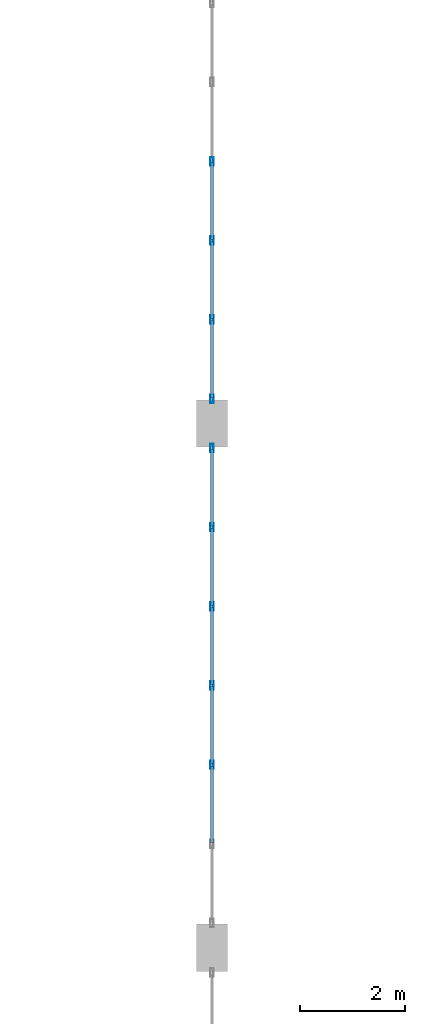
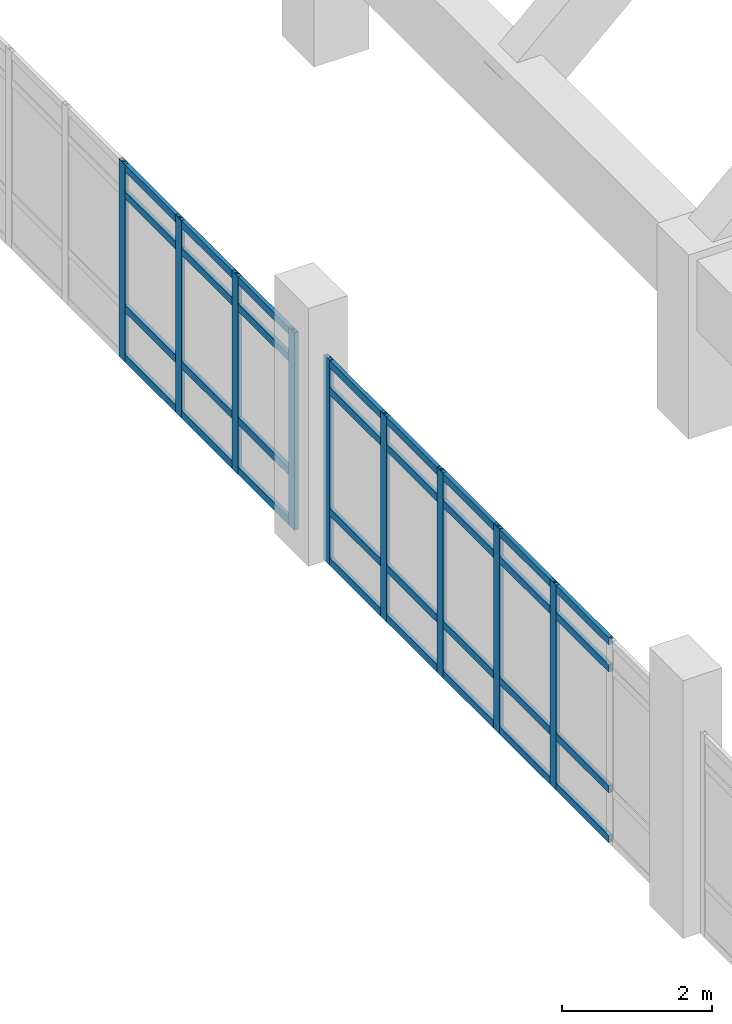
# One storey, part 19 of 111: 41 members, 2 elements without a shape of their own.
"""IFC4 building model written with IfcOpenShell, lengths in metres."""

from ifc_helpers import new_model, si_unit, direction, frame, origin, origin_2d, place, context, subcontext, project, spatial, hollow_rectangle, extrude, material, layer, layer_set, material_profile, profile_set, type_object, element, aggregate, save


model = new_model("IFC4")

# Units and contexts
model_context = context("Model", 3, precision=1e-05, world=origin(), true_north=direction((0.0, 1.0)))
body_context = subcontext(model_context, "Body", "Model", "MODEL_VIEW")
ifc_project = project(units=[si_unit("LENGTHUNIT", "METRE"), si_unit("AREAUNIT", "SQUARE_METRE"), si_unit("VOLUMEUNIT", "CUBIC_METRE"), si_unit("PLANEANGLEUNIT", "RADIAN"), si_unit("MASSUNIT", "GRAM", prefix="KILO")], contexts=[model_context])

# Site, building, storey
site_placement = place(None, origin())
site = spatial("IfcSite", under=ifc_project, at=site_placement, CompositionType="ELEMENT")
building_placement = place(site_placement, origin())
building = spatial("IfcBuilding", under=site, at=building_placement, Name="Mersad Railyard Sports Hall", CompositionType="ELEMENT")
storey_placement = place(building_placement, frame((0.0, 0.0, 9.0)))
storey = spatial("IfcBuildingStorey", under=building, at=storey_placement, Name="L02", CompositionType="ELEMENT", Elevation=9.0)

# Curtain wall, members
ifc_material = material(Name="Aluminium 6063-T6", Category="aluminium")
ifc_layer_1 = layer(ifc_material, 0.159912109375)
ifc_layer_set_1 = layer_set([ifc_layer_1], Name="Aluminium 6063-T6")
curtain_wall_type_1 = type_object("IfcCurtainWallType", Name="ARC-CW-CW18", PredefinedType="USERDEFINED", material=ifc_layer_set_1)
curtain_wall_1_placement = place(storey_placement, origin())
curtain_wall_1 = element("IfcCurtainWall", 1, at=curtain_wall_1_placement, inside=storey, type_object=curtain_wall_type_1, Name="Curtain wall CW18-0071", ObjectType="CURTAIN WALL", PredefinedType="USERDEFINED")
ifc_material_profile_1 = material_profile(ifc_material, hollow_rectangle(XDim=0.06005859375, YDim=0.159912109375, WallThickness=0.00390625, at=origin_2d()), Name="AL MULLION 60x160x4")
ifc_profile_set_1 = profile_set([ifc_material_profile_1], Name="Aluminium 6063-T6")
member_type_1 = type_object("IfcMemberType", Name="ARC-CW-MUL01", PredefinedType="MULLION", material=ifc_profile_set_1)
member_1_placement = place(storey_placement, frame((131.0, 36.989990234375, -0.02001953125), z_axis=(0.0, 0.0, 1.0), x_axis=(1.0, 0.0, 0.0)))
member_1 = element("IfcMember", 2, at=member_1_placement, type_object=member_type_1, Name="CW18 Mullion 3", PredefinedType="MULLION", context=body_context, shape_type="SweptSolid", body=[
    extrude(hollow_rectangle(XDim=0.06005859375, YDim=0.159912109375, WallThickness=0.00390625, at=origin_2d()), origin(), (0.0, 0.0, 1.0), 3.340087890625),
])
member_2_placement = place(storey_placement, frame((131.0, 38.5, -0.02001953125), z_axis=(0.0, 0.0, 1.0), x_axis=(1.0, 0.0, 0.0)))
member_2 = element("IfcMember", 3, at=member_2_placement, type_object=member_type_1, Name="CW18 Mullion 4", PredefinedType="MULLION", context=body_context, shape_type="SweptSolid", body=[
    extrude(hollow_rectangle(XDim=0.06005859375, YDim=0.159912109375, WallThickness=0.00390625, at=origin_2d()), origin(), (0.0, 0.0, 1.0), 3.340087890625),
])
member_3_placement = place(storey_placement, frame((131.0, 40.010009765625, -0.02001953125), z_axis=(0.0, 0.0, 1.0), x_axis=(1.0, 0.0, 0.0)))
member_3 = element("IfcMember", 4, at=member_3_placement, type_object=member_type_1, Name="CW18 Mullion 5", PredefinedType="MULLION", context=body_context, shape_type="SweptSolid", body=[
    extrude(hollow_rectangle(XDim=0.06005859375, YDim=0.159912109375, WallThickness=0.00390625, at=origin_2d()), origin(), (0.0, 0.0, 1.0), 3.340087890625),
])
member_4_placement = place(storey_placement, frame((131.0, 41.52001953125, -0.02001953125), z_axis=(0.0, 0.0, 1.0), x_axis=(1.0, 0.0, 0.0)))
member_4 = element("IfcMember", 5, at=member_4_placement, type_object=member_type_1, Name="CW18 Mullion 6", PredefinedType="MULLION", context=body_context, shape_type="SweptSolid", body=[
    extrude(hollow_rectangle(XDim=0.06005859375, YDim=0.159912109375, WallThickness=0.00390625, at=origin_2d()), origin(), (0.0, 0.0, 1.0), 3.340087890625),
])
member_5_placement = place(storey_placement, frame((131.0, 43.030029296875, -0.02001953125), z_axis=(0.0, 0.0, 1.0), x_axis=(1.0, 0.0, 0.0)))
member_5 = element("IfcMember", 6, at=member_5_placement, type_object=member_type_1, Name="CW18 Mullion 7", PredefinedType="MULLION", context=body_context, shape_type="SweptSolid", body=[
    extrude(hollow_rectangle(XDim=0.06005859375, YDim=0.159912109375, WallThickness=0.00390625, at=origin_2d()), origin(), (0.0, 0.0, 1.0), 3.340087890625),
])

ifc_layer_2 = layer(ifc_material, 0.159912109375)
ifc_layer_set_2 = layer_set([ifc_layer_2], Name="Aluminium 6063-T6")
curtain_wall_type_2 = type_object("IfcCurtainWallType", Name="ARC-CW-CW15", PredefinedType="USERDEFINED", material=ifc_layer_set_2)
curtain_wall_2_placement = place(storey_placement, origin())
curtain_wall_2 = element("IfcCurtainWall", 7, at=curtain_wall_2_placement, inside=storey, type_object=curtain_wall_type_2, Name="Curtain wall CW15-0073", ObjectType="CURTAIN WALL", PredefinedType="USERDEFINED")
member_6_placement = place(storey_placement, frame((131.0, 43.969970703125, -0.02001953125), z_axis=(0.0, 0.0, 1.0), x_axis=(1.0, 0.0, 0.0)))
member_6 = element("IfcMember", 8, at=member_6_placement, type_object=member_type_1, Name="CW15 Mullion 1", PredefinedType="MULLION", context=body_context, shape_type="SweptSolid", body=[
    extrude(hollow_rectangle(XDim=0.06005859375, YDim=0.159912109375, WallThickness=0.00390625, at=origin_2d()), origin(), (0.0, 0.0, 1.0), 3.219970703125),
])
member_7_placement = place(storey_placement, frame((131.0, 45.47998046875, -0.02001953125), z_axis=(0.0, 0.0, 1.0), x_axis=(1.0, 0.0, 0.0)))
member_7 = element("IfcMember", 9, at=member_7_placement, type_object=member_type_1, Name="CW15 Mullion 2", PredefinedType="MULLION", context=body_context, shape_type="SweptSolid", body=[
    extrude(hollow_rectangle(XDim=0.06005859375, YDim=0.159912109375, WallThickness=0.00390625, at=origin_2d()), origin(), (0.0, 0.0, 1.0), 3.219970703125),
])
member_8_placement = place(storey_placement, frame((131.0, 46.989990234375, -0.02001953125), z_axis=(0.0, 0.0, 1.0), x_axis=(1.0, 0.0, 0.0)))
member_8 = element("IfcMember", 10, at=member_8_placement, type_object=member_type_1, Name="CW15 Mullion 3", PredefinedType="MULLION", context=body_context, shape_type="SweptSolid", body=[
    extrude(hollow_rectangle(XDim=0.06005859375, YDim=0.159912109375, WallThickness=0.00390625, at=origin_2d()), origin(), (0.0, 0.0, 1.0), 3.219970703125),
])
member_9_placement = place(storey_placement, frame((131.0, 48.5, -0.02001953125), z_axis=(0.0, 0.0, 1.0), x_axis=(1.0, 0.0, 0.0)))
member_9 = element("IfcMember", 11, at=member_9_placement, type_object=member_type_1, Name="CW15 Mullion 4", PredefinedType="MULLION", context=body_context, shape_type="SweptSolid", body=[
    extrude(hollow_rectangle(XDim=0.06005859375, YDim=0.159912109375, WallThickness=0.00390625, at=origin_2d()), origin(), (0.0, 0.0, 1.0), 3.219970703125),
])

# Member
ifc_material_profile_2 = material_profile(ifc_material, hollow_rectangle(XDim=0.06005859375, YDim=0.1201171875, WallThickness=0.00390625, at=origin_2d()), Name="AL TRANSOM 60x120x4")
ifc_profile_set_2 = profile_set([ifc_material_profile_2], Name="Aluminium 6063-T6")
member_type_2 = type_object("IfcMemberType", Name="ARC-CW-TRN01", PredefinedType="USERDEFINED", material=ifc_profile_set_2)
member_10_placement = place(storey_placement, frame((131.0, 35.5, 0.0400390625), z_axis=(0.0, 1.0, 0.0), x_axis=(-1.0, 0.0, 0.0)))
member_10 = element("IfcMember", 12, at=member_10_placement, type_object=member_type_2, Name="CW18 Transom 1-2", ObjectType="TRANSOM", PredefinedType="USERDEFINED", context=body_context, shape_type="SweptSolid", body=[
    extrude(hollow_rectangle(XDim=0.06005859375, YDim=0.1201171875, WallThickness=0.00390625, at=origin_2d()), origin(), (0.0, 0.0, 1.0), 1.469970703125),
])

member_11_placement = place(storey_placement, frame((131.0, 37.010009765625, 0.0400390625), z_axis=(0.0, 1.0, 0.0), x_axis=(-1.0, 0.0, 0.0)))
member_11 = element("IfcMember", 13, at=member_11_placement, type_object=member_type_2, Name="CW18 Transom 1-3", ObjectType="TRANSOM", PredefinedType="USERDEFINED", context=body_context, shape_type="SweptSolid", body=[
    extrude(hollow_rectangle(XDim=0.06005859375, YDim=0.1201171875, WallThickness=0.00390625, at=origin_2d()), origin(), (0.0, 0.0, 1.0), 1.469970703125),
])

member_12_placement = place(storey_placement, frame((131.0, 38.52001953125, 0.0400390625), z_axis=(0.0, 1.0, 0.0), x_axis=(-1.0, 0.0, 0.0)))
member_12 = element("IfcMember", 14, at=member_12_placement, type_object=member_type_2, Name="CW18 Transom 1-4", ObjectType="TRANSOM", PredefinedType="USERDEFINED", context=body_context, shape_type="SweptSolid", body=[
    extrude(hollow_rectangle(XDim=0.06005859375, YDim=0.1201171875, WallThickness=0.00390625, at=origin_2d()), origin(), (0.0, 0.0, 1.0), 1.469970703125),
])

member_13_placement = place(storey_placement, frame((131.0, 40.030029296875, 0.0400390625), z_axis=(0.0, 1.0, 0.0), x_axis=(-1.0, 0.0, 0.0)))
member_13 = element("IfcMember", 15, at=member_13_placement, type_object=member_type_2, Name="CW18 Transom 1-5", ObjectType="TRANSOM", PredefinedType="USERDEFINED", context=body_context, shape_type="SweptSolid", body=[
    extrude(hollow_rectangle(XDim=0.06005859375, YDim=0.1201171875, WallThickness=0.00390625, at=origin_2d()), origin(), (0.0, 0.0, 1.0), 1.469970703125),
])

member_14_placement = place(storey_placement, frame((131.0, 41.5400390625, 0.0400390625), z_axis=(0.0, 1.0, 0.0), x_axis=(-1.0, 0.0, 0.0)))
member_14 = element("IfcMember", 16, at=member_14_placement, type_object=member_type_2, Name="CW18 Transom 1-6", ObjectType="TRANSOM", PredefinedType="USERDEFINED", context=body_context, shape_type="SweptSolid", body=[
    extrude(hollow_rectangle(XDim=0.06005859375, YDim=0.1201171875, WallThickness=0.00390625, at=origin_2d()), origin(), (0.0, 0.0, 1.0), 1.469970703125),
])

member_15_placement = place(storey_placement, frame((131.0, 35.5, 0.85009765625), z_axis=(0.0, 1.0, 0.0), x_axis=(-1.0, 0.0, 0.0)))
member_15 = element("IfcMember", 17, at=member_15_placement, type_object=member_type_2, Name="CW18 Transom 2-2", ObjectType="TRANSOM", PredefinedType="USERDEFINED", context=body_context, shape_type="SweptSolid", body=[
    extrude(hollow_rectangle(XDim=0.06005859375, YDim=0.1201171875, WallThickness=0.00390625, at=origin_2d()), origin(), (0.0, 0.0, 1.0), 1.469970703125),
])

member_16_placement = place(storey_placement, frame((131.0, 37.010009765625, 0.85009765625), z_axis=(0.0, 1.0, 0.0), x_axis=(-1.0, 0.0, 0.0)))
member_16 = element("IfcMember", 18, at=member_16_placement, type_object=member_type_2, Name="CW18 Transom 2-3", ObjectType="TRANSOM", PredefinedType="USERDEFINED", context=body_context, shape_type="SweptSolid", body=[
    extrude(hollow_rectangle(XDim=0.06005859375, YDim=0.1201171875, WallThickness=0.00390625, at=origin_2d()), origin(), (0.0, 0.0, 1.0), 1.469970703125),
])

member_17_placement = place(storey_placement, frame((131.0, 38.52001953125, 0.85009765625), z_axis=(0.0, 1.0, 0.0), x_axis=(-1.0, 0.0, 0.0)))
member_17 = element("IfcMember", 19, at=member_17_placement, type_object=member_type_2, Name="CW18 Transom 2-4", ObjectType="TRANSOM", PredefinedType="USERDEFINED", context=body_context, shape_type="SweptSolid", body=[
    extrude(hollow_rectangle(XDim=0.06005859375, YDim=0.1201171875, WallThickness=0.00390625, at=origin_2d()), origin(), (0.0, 0.0, 1.0), 1.469970703125),
])

member_18_placement = place(storey_placement, frame((131.0, 40.030029296875, 0.85009765625), z_axis=(0.0, 1.0, 0.0), x_axis=(-1.0, 0.0, 0.0)))
member_18 = element("IfcMember", 20, at=member_18_placement, type_object=member_type_2, Name="CW18 Transom 2-5", ObjectType="TRANSOM", PredefinedType="USERDEFINED", context=body_context, shape_type="SweptSolid", body=[
    extrude(hollow_rectangle(XDim=0.06005859375, YDim=0.1201171875, WallThickness=0.00390625, at=origin_2d()), origin(), (0.0, 0.0, 1.0), 1.469970703125),
])

member_19_placement = place(storey_placement, frame((131.0, 41.5400390625, 0.85009765625), z_axis=(0.0, 1.0, 0.0), x_axis=(-1.0, 0.0, 0.0)))
member_19 = element("IfcMember", 21, at=member_19_placement, type_object=member_type_2, Name="CW18 Transom 2-6", ObjectType="TRANSOM", PredefinedType="USERDEFINED", context=body_context, shape_type="SweptSolid", body=[
    extrude(hollow_rectangle(XDim=0.06005859375, YDim=0.1201171875, WallThickness=0.00390625, at=origin_2d()), origin(), (0.0, 0.0, 1.0), 1.469970703125),
])

member_20_placement = place(storey_placement, frame((131.0, 35.5, 2.820068359375), z_axis=(0.0, 1.0, 0.0), x_axis=(-1.0, 0.0, 0.0)))
member_20 = element("IfcMember", 22, at=member_20_placement, type_object=member_type_2, Name="CW18 Transom 3-2", ObjectType="TRANSOM", PredefinedType="USERDEFINED", context=body_context, shape_type="SweptSolid", body=[
    extrude(hollow_rectangle(XDim=0.06005859375, YDim=0.1201171875, WallThickness=0.00390625, at=origin_2d()), origin(), (0.0, 0.0, 1.0), 1.469970703125),
])

member_21_placement = place(storey_placement, frame((131.0, 37.010009765625, 2.820068359375), z_axis=(0.0, 1.0, 0.0), x_axis=(-1.0, 0.0, 0.0)))
member_21 = element("IfcMember", 23, at=member_21_placement, type_object=member_type_2, Name="CW18 Transom 3-3", ObjectType="TRANSOM", PredefinedType="USERDEFINED", context=body_context, shape_type="SweptSolid", body=[
    extrude(hollow_rectangle(XDim=0.06005859375, YDim=0.1201171875, WallThickness=0.00390625, at=origin_2d()), origin(), (0.0, 0.0, 1.0), 1.469970703125),
])

member_22_placement = place(storey_placement, frame((131.0, 38.52001953125, 2.820068359375), z_axis=(0.0, 1.0, 0.0), x_axis=(-1.0, 0.0, 0.0)))
member_22 = element("IfcMember", 24, at=member_22_placement, type_object=member_type_2, Name="CW18 Transom 3-4", ObjectType="TRANSOM", PredefinedType="USERDEFINED", context=body_context, shape_type="SweptSolid", body=[
    extrude(hollow_rectangle(XDim=0.06005859375, YDim=0.1201171875, WallThickness=0.00390625, at=origin_2d()), origin(), (0.0, 0.0, 1.0), 1.469970703125),
])

member_23_placement = place(storey_placement, frame((131.0, 40.030029296875, 2.820068359375), z_axis=(0.0, 1.0, 0.0), x_axis=(-1.0, 0.0, 0.0)))
member_23 = element("IfcMember", 25, at=member_23_placement, type_object=member_type_2, Name="CW18 Transom 3-5", ObjectType="TRANSOM", PredefinedType="USERDEFINED", context=body_context, shape_type="SweptSolid", body=[
    extrude(hollow_rectangle(XDim=0.06005859375, YDim=0.1201171875, WallThickness=0.00390625, at=origin_2d()), origin(), (0.0, 0.0, 1.0), 1.469970703125),
])

member_24_placement = place(storey_placement, frame((131.0, 41.5400390625, 2.820068359375), z_axis=(0.0, 1.0, 0.0), x_axis=(-1.0, 0.0, 0.0)))
member_24 = element("IfcMember", 26, at=member_24_placement, type_object=member_type_2, Name="CW18 Transom 3-6", ObjectType="TRANSOM", PredefinedType="USERDEFINED", context=body_context, shape_type="SweptSolid", body=[
    extrude(hollow_rectangle(XDim=0.06005859375, YDim=0.1201171875, WallThickness=0.00390625, at=origin_2d()), origin(), (0.0, 0.0, 1.0), 1.469970703125),
])

member_25_placement = place(storey_placement, frame((131.0, 35.5, 3.260009765625), z_axis=(0.0, 1.0, 0.0), x_axis=(-1.0, 0.0, 0.0)))
member_25 = element("IfcMember", 27, at=member_25_placement, type_object=member_type_2, Name="CW18 Transom 4-2", ObjectType="TRANSOM", PredefinedType="USERDEFINED", context=body_context, shape_type="SweptSolid", body=[
    extrude(hollow_rectangle(XDim=0.06005859375, YDim=0.1201171875, WallThickness=0.00390625, at=origin_2d()), origin(), (0.0, 0.0, 1.0), 1.469970703125),
])

member_26_placement = place(storey_placement, frame((131.0, 37.010009765625, 3.260009765625), z_axis=(0.0, 1.0, 0.0), x_axis=(-1.0, 0.0, 0.0)))
member_26 = element("IfcMember", 28, at=member_26_placement, type_object=member_type_2, Name="CW18 Transom 4-3", ObjectType="TRANSOM", PredefinedType="USERDEFINED", context=body_context, shape_type="SweptSolid", body=[
    extrude(hollow_rectangle(XDim=0.06005859375, YDim=0.1201171875, WallThickness=0.00390625, at=origin_2d()), origin(), (0.0, 0.0, 1.0), 1.469970703125),
])

member_27_placement = place(storey_placement, frame((131.0, 38.52001953125, 3.260009765625), z_axis=(0.0, 1.0, 0.0), x_axis=(-1.0, 0.0, 0.0)))
member_27 = element("IfcMember", 29, at=member_27_placement, type_object=member_type_2, Name="CW18 Transom 4-4", ObjectType="TRANSOM", PredefinedType="USERDEFINED", context=body_context, shape_type="SweptSolid", body=[
    extrude(hollow_rectangle(XDim=0.06005859375, YDim=0.1201171875, WallThickness=0.00390625, at=origin_2d()), origin(), (0.0, 0.0, 1.0), 1.469970703125),
])

member_28_placement = place(storey_placement, frame((131.0, 40.030029296875, 3.260009765625), z_axis=(0.0, 1.0, 0.0), x_axis=(-1.0, 0.0, 0.0)))
member_28 = element("IfcMember", 30, at=member_28_placement, type_object=member_type_2, Name="CW18 Transom 4-5", ObjectType="TRANSOM", PredefinedType="USERDEFINED", context=body_context, shape_type="SweptSolid", body=[
    extrude(hollow_rectangle(XDim=0.06005859375, YDim=0.1201171875, WallThickness=0.00390625, at=origin_2d()), origin(), (0.0, 0.0, 1.0), 1.469970703125),
])

member_29_placement = place(storey_placement, frame((131.0, 41.5400390625, 3.260009765625), z_axis=(0.0, 1.0, 0.0), x_axis=(-1.0, 0.0, 0.0)))
member_29 = element("IfcMember", 31, at=member_29_placement, type_object=member_type_2, Name="CW18 Transom 4-6", ObjectType="TRANSOM", PredefinedType="USERDEFINED", context=body_context, shape_type="SweptSolid", body=[
    extrude(hollow_rectangle(XDim=0.06005859375, YDim=0.1201171875, WallThickness=0.00390625, at=origin_2d()), origin(), (0.0, 0.0, 1.0), 1.469970703125),
])

aggregate(curtain_wall_1, [member_1, member_2, member_3, member_4, member_5, member_10, member_11, member_12, member_13, member_14, member_15, member_16, member_17, member_18, member_19, member_20, member_21, member_22, member_23, member_24, member_25, member_26, member_27, member_28, member_29])

member_30_placement = place(storey_placement, frame((131.0, 43.989990234375, 0.0400390625), z_axis=(0.0, 1.0, 0.0), x_axis=(-1.0, 0.0, 0.0)))
member_30 = element("IfcMember", 32, at=member_30_placement, type_object=member_type_2, Name="CW15 Transom 1-1", ObjectType="TRANSOM", PredefinedType="USERDEFINED", context=body_context, shape_type="SweptSolid", body=[
    extrude(hollow_rectangle(XDim=0.06005859375, YDim=0.1201171875, WallThickness=0.00390625, at=origin_2d()), origin(), (0.0, 0.0, 1.0), 1.469970703125),
])

member_31_placement = place(storey_placement, frame((131.0, 45.5, 0.0400390625), z_axis=(0.0, 1.0, 0.0), x_axis=(-1.0, 0.0, 0.0)))
member_31 = element("IfcMember", 33, at=member_31_placement, type_object=member_type_2, Name="CW15 Transom 1-2", ObjectType="TRANSOM", PredefinedType="USERDEFINED", context=body_context, shape_type="SweptSolid", body=[
    extrude(hollow_rectangle(XDim=0.06005859375, YDim=0.1201171875, WallThickness=0.00390625, at=origin_2d()), origin(), (0.0, 0.0, 1.0), 1.469970703125),
])

member_32_placement = place(storey_placement, frame((131.0, 47.010009765625, 0.0400390625), z_axis=(0.0, 1.0, 0.0), x_axis=(-1.0, 0.0, 0.0)))
member_32 = element("IfcMember", 34, at=member_32_placement, type_object=member_type_2, Name="CW15 Transom 1-3", ObjectType="TRANSOM", PredefinedType="USERDEFINED", context=body_context, shape_type="SweptSolid", body=[
    extrude(hollow_rectangle(XDim=0.06005859375, YDim=0.1201171875, WallThickness=0.00390625, at=origin_2d()), origin(), (0.0, 0.0, 1.0), 1.469970703125),
])

member_33_placement = place(storey_placement, frame((131.0, 43.989990234375, 0.85009765625), z_axis=(0.0, 1.0, 0.0), x_axis=(-1.0, 0.0, 0.0)))
member_33 = element("IfcMember", 35, at=member_33_placement, type_object=member_type_2, Name="CW15 Transom 2-1", ObjectType="TRANSOM", PredefinedType="USERDEFINED", context=body_context, shape_type="SweptSolid", body=[
    extrude(hollow_rectangle(XDim=0.06005859375, YDim=0.1201171875, WallThickness=0.00390625, at=origin_2d()), origin(), (0.0, 0.0, 1.0), 1.469970703125),
])

member_34_placement = place(storey_placement, frame((131.0, 45.5, 0.85009765625), z_axis=(0.0, 1.0, 0.0), x_axis=(-1.0, 0.0, 0.0)))
member_34 = element("IfcMember", 36, at=member_34_placement, type_object=member_type_2, Name="CW15 Transom 2-2", ObjectType="TRANSOM", PredefinedType="USERDEFINED", context=body_context, shape_type="SweptSolid", body=[
    extrude(hollow_rectangle(XDim=0.06005859375, YDim=0.1201171875, WallThickness=0.00390625, at=origin_2d()), origin(), (0.0, 0.0, 1.0), 1.469970703125),
])

member_35_placement = place(storey_placement, frame((131.0, 47.010009765625, 0.85009765625), z_axis=(0.0, 1.0, 0.0), x_axis=(-1.0, 0.0, 0.0)))
member_35 = element("IfcMember", 37, at=member_35_placement, type_object=member_type_2, Name="CW15 Transom 2-3", ObjectType="TRANSOM", PredefinedType="USERDEFINED", context=body_context, shape_type="SweptSolid", body=[
    extrude(hollow_rectangle(XDim=0.06005859375, YDim=0.1201171875, WallThickness=0.00390625, at=origin_2d()), origin(), (0.0, 0.0, 1.0), 1.469970703125),
])

member_36_placement = place(storey_placement, frame((131.0, 43.989990234375, 2.699951171875), z_axis=(0.0, 1.0, 0.0), x_axis=(-1.0, 0.0, 0.0)))
member_36 = element("IfcMember", 38, at=member_36_placement, type_object=member_type_2, Name="CW15 Transom 3-1", ObjectType="TRANSOM", PredefinedType="USERDEFINED", context=body_context, shape_type="SweptSolid", body=[
    extrude(hollow_rectangle(XDim=0.06005859375, YDim=0.1201171875, WallThickness=0.00390625, at=origin_2d()), origin(), (0.0, 0.0, 1.0), 1.469970703125),
])

member_37_placement = place(storey_placement, frame((131.0, 45.5, 2.699951171875), z_axis=(0.0, 1.0, 0.0), x_axis=(-1.0, 0.0, 0.0)))
member_37 = element("IfcMember", 39, at=member_37_placement, type_object=member_type_2, Name="CW15 Transom 3-2", ObjectType="TRANSOM", PredefinedType="USERDEFINED", context=body_context, shape_type="SweptSolid", body=[
    extrude(hollow_rectangle(XDim=0.06005859375, YDim=0.1201171875, WallThickness=0.00390625, at=origin_2d()), origin(), (0.0, 0.0, 1.0), 1.469970703125),
])

member_38_placement = place(storey_placement, frame((131.0, 47.010009765625, 2.699951171875), z_axis=(0.0, 1.0, 0.0), x_axis=(-1.0, 0.0, 0.0)))
member_38 = element("IfcMember", 40, at=member_38_placement, type_object=member_type_2, Name="CW15 Transom 3-3", ObjectType="TRANSOM", PredefinedType="USERDEFINED", context=body_context, shape_type="SweptSolid", body=[
    extrude(hollow_rectangle(XDim=0.06005859375, YDim=0.1201171875, WallThickness=0.00390625, at=origin_2d()), origin(), (0.0, 0.0, 1.0), 1.469970703125),
])

member_39_placement = place(storey_placement, frame((131.0, 43.989990234375, 3.139892578125), z_axis=(0.0, 1.0, 0.0), x_axis=(-1.0, 0.0, 0.0)))
member_39 = element("IfcMember", 41, at=member_39_placement, type_object=member_type_2, Name="CW15 Transom 4-1", ObjectType="TRANSOM", PredefinedType="USERDEFINED", context=body_context, shape_type="SweptSolid", body=[
    extrude(hollow_rectangle(XDim=0.06005859375, YDim=0.1201171875, WallThickness=0.00390625, at=origin_2d()), origin(), (0.0, 0.0, 1.0), 1.469970703125),
])

member_40_placement = place(storey_placement, frame((131.0, 45.5, 3.139892578125), z_axis=(0.0, 1.0, 0.0), x_axis=(-1.0, 0.0, 0.0)))
member_40 = element("IfcMember", 42, at=member_40_placement, type_object=member_type_2, Name="CW15 Transom 4-2", ObjectType="TRANSOM", PredefinedType="USERDEFINED", context=body_context, shape_type="SweptSolid", body=[
    extrude(hollow_rectangle(XDim=0.06005859375, YDim=0.1201171875, WallThickness=0.00390625, at=origin_2d()), origin(), (0.0, 0.0, 1.0), 1.469970703125),
])

member_41_placement = place(storey_placement, frame((131.0, 47.010009765625, 3.139892578125), z_axis=(0.0, 1.0, 0.0), x_axis=(-1.0, 0.0, 0.0)))
member_41 = element("IfcMember", 43, at=member_41_placement, type_object=member_type_2, Name="CW15 Transom 4-3", ObjectType="TRANSOM", PredefinedType="USERDEFINED", context=body_context, shape_type="SweptSolid", body=[
    extrude(hollow_rectangle(XDim=0.06005859375, YDim=0.1201171875, WallThickness=0.00390625, at=origin_2d()), origin(), (0.0, 0.0, 1.0), 1.469970703125),
])

aggregate(curtain_wall_2, [member_6, member_7, member_8, member_9, member_30, member_31, member_32, member_33, member_34, member_35, member_36, member_37, member_38, member_39, member_40, member_41])

save(model, "model.ifc")
